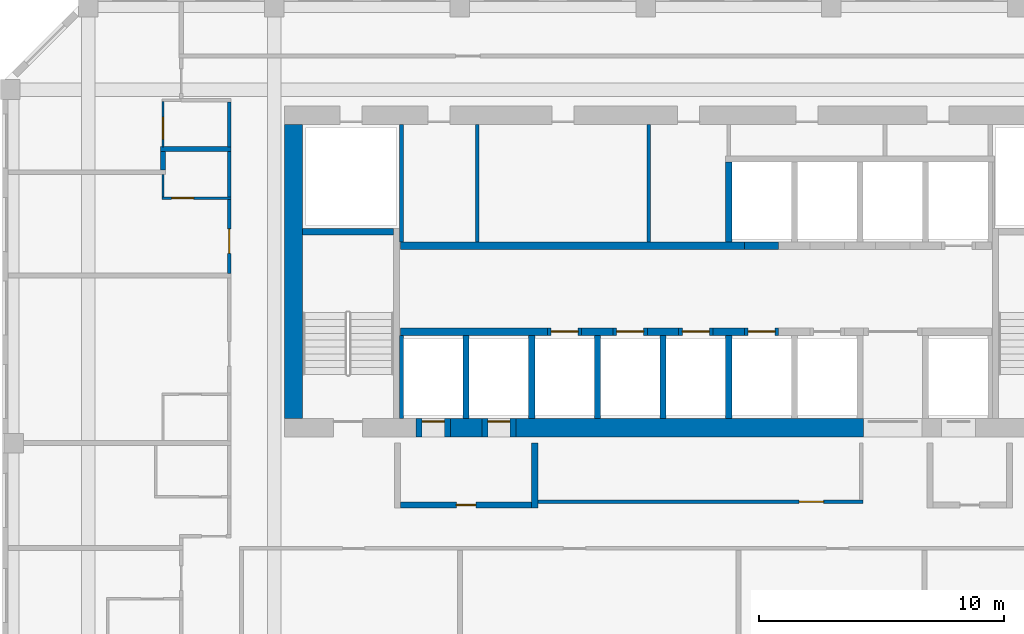
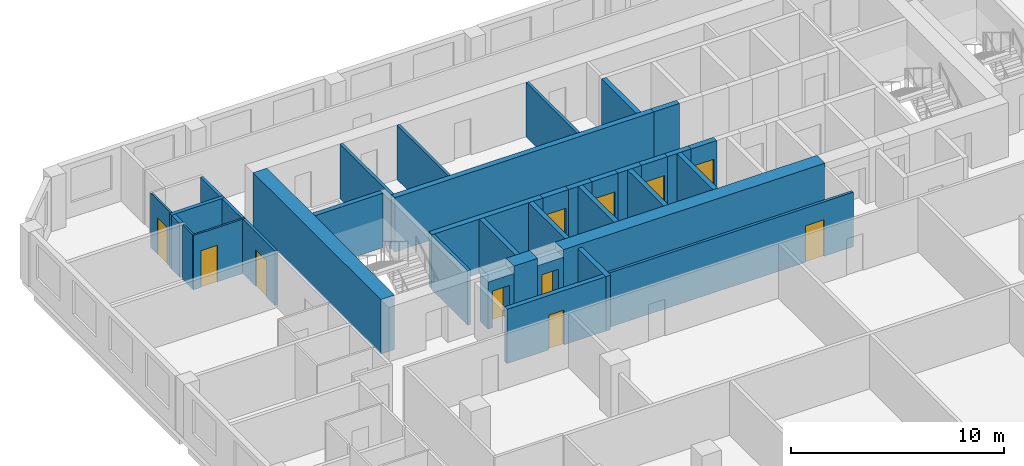
# One storey, part 7 of 21: 37 walls, 11 doors, 11 openings.
"""IFC4 building model written with IfcOpenShell, lengths in metres."""

from ifc_helpers import new_model, si_unit, direction, frame, frame_2d, origin, place, context, subcontext, project, spatial, rectangle, extrude, source, transform, mapped, material, layer, layer_set, type_object, element, fill, save


model = new_model("IFC4")

# Units and contexts
model_context = context("Model", 3, precision=1e-05, world=origin(), true_north=direction((0.0, 1.0)))
body_context = subcontext(model_context, "Body", "Model", "MODEL_VIEW")
ifc_project = project(units=[si_unit("LENGTHUNIT", "METRE"), si_unit("AREAUNIT", "SQUARE_METRE"), si_unit("VOLUMEUNIT", "CUBIC_METRE"), si_unit("PLANEANGLEUNIT", "RADIAN"), si_unit("MASSUNIT", "GRAM", prefix="KILO")], contexts=[model_context])

# Site, building, storey
site_placement = place(None, origin())
site = spatial("IfcSite", under=ifc_project, at=site_placement, CompositionType="ELEMENT")
building_placement = place(site_placement, origin())
building = spatial("IfcBuilding", under=site, at=building_placement, Name="Kilnfold Tower and Market Hall", CompositionType="ELEMENT")
storey_placement = place(building_placement, frame((0.0, 0.0, 185.5)))
storey = spatial("IfcBuildingStorey", under=building, at=storey_placement, Name="L44", CompositionType="ELEMENT", Elevation=185.5)

# Wall, opening, door
ifc_material_1 = material(Name="Gypsum board on steel studs", Category="steel")
ifc_layer_1 = layer(ifc_material_1, 0.14990234375)
ifc_layer_set_1 = layer_set([ifc_layer_1], Name="Gypsum board on steel studs")
wall_type_1 = type_object("IfcWallType", Name="WALL CORRIDOR 150", PredefinedType="PARTITIONING", material=ifc_layer_set_1)
wall_1_placement = place(storey_placement, frame((-18.0, 14.927001953125, 0.0), z_axis=(0.0, 0.0, 1.0), x_axis=(0.0, 1.0, 0.0)))
wall_1 = element("IfcWall", 1, at=wall_1_placement, inside=storey, type_object=wall_type_1, Name="Partition LY27.24", PredefinedType="PARTITIONING", context=body_context, shape_type="SweptSolid", body=[
    extrude(rectangle(XDim=3.032958984375, YDim=0.14990234375, at=frame_2d((1.5166015625, 0.0))), origin(), (0.0, 0.0, 1.0), 3.1201171875),
])
opening_1_placement = place(wall_1_placement, frame((0.81201171875, 0.0, 0.0)))
opening_1 = element("IfcOpeningElement", 2, at=opening_1_placement, cuts=wall_1, Name="Opening D1", PredefinedType="OPENING", context=body_context, shape_type="SweptSolid", body=[
    extrude(rectangle(XDim=1.0, YDim=2.10009765625, at=frame_2d((0.5, 1.050048828125))), frame((0.0, 0.0849609375, 0.0), z_axis=(0.0, -1.0, 0.0), x_axis=(1.0, 0.0, 0.0)), (0.0, 0.0, 1.0), 0.169921875),
])
ifc_material_2 = material(Name="Timber veneer door leaf in steel frame", Category="steel")
door_type_1 = type_object("IfcDoorType", Name="DOOR ENTRY 1000 X2100", OperationType="NOTDEFINED", PredefinedType="DOOR", material=ifc_material_2)
door_1_placement = place(opening_1_placement, origin())
door_1 = element("IfcDoor", 3, at=door_1_placement, inside=storey, type_object=door_type_1, Name="Door D1", OperationType="SINGLE_SWING_LEFT", OverallHeight=2.10009765625, OverallWidth=1.0, PredefinedType="DOOR", context=body_context, shape_type="SweptSolid", body=[
    extrude(rectangle(XDim=1.0, YDim=2.10009765625, at=frame_2d((0.5, 1.050048828125))), frame((0.0, 0.02490234375, 0.0), z_axis=(0.0, -1.0, 0.0), x_axis=(1.0, 0.0, 0.0)), (0.0, 0.0, 1.0), 0.050048828125),
])
fill(opening_1, door_1)

# Walls
wall_2_placement = place(storey_placement, frame((-18.0, 18.0400390625, 0.0), z_axis=(0.0, 0.0, 1.0), x_axis=(0.0, 1.0, 0.0)))
element("IfcWall", 4, at=wall_2_placement, inside=storey, type_object=wall_type_1, Name="Partition LY27.25", PredefinedType="PARTITIONING", context=body_context, shape_type="SweptSolid", body=[
    extrude(rectangle(XDim=1.869873046875, YDim=0.14990234375, at=frame_2d((0.93505859375, 0.0))), origin(), (0.0, 0.0, 1.0), 3.1201171875),
])
wall_3_placement = place(storey_placement, frame((-18.0, 20.090087890625, 0.0), z_axis=(0.0, 0.0, 1.0), x_axis=(0.0, 1.0, 0.0)))
element("IfcWall", 5, at=wall_3_placement, inside=storey, type_object=wall_type_1, Name="Partition LY27.27", PredefinedType="PARTITIONING", context=body_context, shape_type="SweptSolid", body=[
    extrude(rectangle(XDim=1.8349609375, YDim=0.14990234375, at=frame_2d((0.91748046875, 0.0))), origin(), (0.0, 0.0, 1.0), 3.1201171875),
])

# Wall, opening, door
wall_4_placement = place(storey_placement, frame((7.875, 5.60009765625, 0.0), z_axis=(0.0, 0.0, 1.0), x_axis=(-1.0, 0.0, 0.0)))
wall_4 = element("IfcWall", 6, at=wall_4_placement, inside=storey, type_object=wall_type_1, Name="Partition LY27.40", PredefinedType="PARTITIONING", context=body_context, shape_type="SweptSolid", body=[
    extrude(rectangle(XDim=13.27490234375, YDim=0.14990234375, at=frame_2d((6.637451171875, 0.0))), origin(), (0.0, 0.0, 1.0), 3.1201171875),
])
opening_2_placement = place(wall_4_placement, frame((1.60888671875, 0.0, 0.0)))
opening_2 = element("IfcOpeningElement", 7, at=opening_2_placement, cuts=wall_4, Name="Opening D1", PredefinedType="OPENING", context=body_context, shape_type="SweptSolid", body=[
    extrude(rectangle(XDim=1.0, YDim=2.10009765625, at=frame_2d((0.5, 1.050048828125))), frame((0.0, 0.0849609375, 0.0), z_axis=(0.0, -1.0, 0.0), x_axis=(1.0, 0.0, 0.0)), (0.0, 0.0, 1.0), 0.169921875),
])
door_2_placement = place(opening_2_placement, origin())
door_2 = element("IfcDoor", 8, at=door_2_placement, inside=storey, type_object=door_type_1, Name="Door D1", OperationType="SINGLE_SWING_LEFT", OverallHeight=2.10009765625, OverallWidth=1.0, PredefinedType="DOOR", context=body_context, shape_type="SweptSolid", body=[
    extrude(rectangle(XDim=1.0, YDim=2.10009765625, at=frame_2d((0.5, 1.050048828125))), frame((0.0, 0.02490234375, 0.0), z_axis=(0.0, -1.0, 0.0), x_axis=(1.0, 0.0, 0.0)), (0.0, 0.0, 1.0), 0.050048828125),
])
fill(opening_2, door_2)

ifc_material_3 = material(Name="Gypsum board on steel studs", Category="steel")
ifc_layer_2 = layer(ifc_material_3, 0.10009765625)
ifc_layer_set_2 = layer_set([ifc_layer_2], Name="Gypsum board on steel studs")
wall_type_2 = type_object("IfcWallType", Name="WALL PARTITION 100", PredefinedType="PARTITIONING", material=ifc_layer_set_2)
wall_5_placement = place(storey_placement, frame((-17.927001953125, 18.0, 0.0), z_axis=(0.0, 0.0, 1.0), x_axis=(-1.0, 0.0, 0.0)))
wall_5 = element("IfcWall", 9, at=wall_5_placement, inside=storey, type_object=wall_type_2, Name="Partition LY27.103", PredefinedType="PARTITIONING", context=body_context, shape_type="SweptSolid", body=[
    extrude(rectangle(XDim=2.824951171875, YDim=0.10009765625, at=frame_2d((1.41259765625, 0.0))), origin(), (0.0, 0.0, 1.0), 3.1201171875),
])
opening_3_placement = place(wall_5_placement, frame((1.52197265625, 0.0, 0.0)))
opening_3 = element("IfcOpeningElement", 10, at=opening_3_placement, cuts=wall_5, Name="Opening D3", PredefinedType="OPENING", context=body_context, shape_type="SweptSolid", body=[
    extrude(rectangle(XDim=0.89990234375, YDim=2.10009765625, at=frame_2d((0.449951171875, 1.050048828125))), frame((0.0, 0.06005859375, 0.0), z_axis=(0.0, -1.0, 0.0), x_axis=(1.0, 0.0, 0.0)), (0.0, 0.0, 1.0), 0.1201171875),
])
ifc_material_4 = material(Name="Timber veneer door leaf in steel frame", Category="steel")
door_type_2 = type_object("IfcDoorType", Name="DOOR WC 900 X2100", OperationType="NOTDEFINED", PredefinedType="DOOR", material=ifc_material_4)
door_3_placement = place(opening_3_placement, origin())
door_3 = element("IfcDoor", 11, at=door_3_placement, inside=storey, type_object=door_type_2, Name="Door D3", OperationType="SINGLE_SWING_RIGHT", OverallHeight=2.10009765625, OverallWidth=0.89990234375, PredefinedType="DOOR", context=body_context, shape_type="SweptSolid", body=[
    extrude(rectangle(XDim=0.89990234375, YDim=2.10009765625, at=frame_2d((0.449951171875, 1.050048828125))), frame((0.0, 0.02490234375, 0.0), z_axis=(0.0, -1.0, 0.0), x_axis=(1.0, 0.0, 0.0)), (0.0, 0.0, 1.0), 0.050048828125),
])
fill(opening_3, door_3)

# Wall
wall_6_placement = place(storey_placement, frame((-20.701904296875, 18.050048828125, 0.0), z_axis=(0.0, 0.0, 1.0), x_axis=(0.0, 1.0, 0.0)))
element("IfcWall", 12, at=wall_6_placement, inside=storey, type_object=wall_type_2, Name="Partition LY27.104", PredefinedType="PARTITIONING", context=body_context, shape_type="SweptSolid", body=[
    extrude(rectangle(XDim=0.90283203125, YDim=0.10009765625, at=frame_2d((0.451416015625, 0.0))), origin(), (0.0, 0.0, 1.0), 3.1201171875),
])

# Wall, opening, door
wall_7_placement = place(storey_placement, frame((-20.701904296875, 20.090087890625, 0.0), z_axis=(0.0, 0.0, 1.0), x_axis=(0.0, 1.0, 0.0)))
wall_7 = element("IfcWall", 13, at=wall_7_placement, inside=storey, type_object=wall_type_2, Name="Partition LY27.109", PredefinedType="PARTITIONING", context=body_context, shape_type="SweptSolid", body=[
    extrude(rectangle(XDim=1.85986328125, YDim=0.10009765625, at=frame_2d((0.929931640625, 0.0))), origin(), (0.0, 0.0, 1.0), 3.1201171875),
])
opening_4_placement = place(wall_7_placement, frame((0.31201171875, 0.0, 0.0)))
opening_4 = element("IfcOpeningElement", 14, at=opening_4_placement, cuts=wall_7, Name="Opening D3", PredefinedType="OPENING", context=body_context, shape_type="SweptSolid", body=[
    extrude(rectangle(XDim=0.89990234375, YDim=2.10009765625, at=frame_2d((0.449951171875, 1.050048828125))), frame((0.0, 0.06005859375, 0.0), z_axis=(0.0, -1.0, 0.0), x_axis=(1.0, 0.0, 0.0)), (0.0, 0.0, 1.0), 0.1201171875),
])
door_4_placement = place(opening_4_placement, origin())
door_4 = element("IfcDoor", 15, at=door_4_placement, inside=storey, type_object=door_type_2, Name="Door D3", OperationType="SINGLE_SWING_RIGHT", OverallHeight=2.10009765625, OverallWidth=0.89990234375, PredefinedType="DOOR", context=body_context, shape_type="SweptSolid", body=[
    extrude(rectangle(XDim=0.89990234375, YDim=2.10009765625, at=frame_2d((0.449951171875, 1.050048828125))), frame((0.0, 0.02490234375, 0.0), z_axis=(0.0, -1.0, 0.0), x_axis=(1.0, 0.0, 0.0)), (0.0, 0.0, 1.0), 0.050048828125),
])
fill(opening_4, door_4)

# Walls
ifc_material_5 = material(Name="Gypsum board on steel studs", Category="steel")
ifc_layer_3 = layer(ifc_material_5, 0.199951171875)
ifc_layer_set_3 = layer_set([ifc_layer_3], Name="Gypsum board on steel studs")
wall_type_3 = type_object("IfcWallType", Name="WALL PARTY 200", PredefinedType="PARTITIONING", material=ifc_layer_set_3)
wall_8_placement = place(storey_placement, frame((-20.701904296875, 19.89990234375, 0.0), z_axis=(0.0, 0.0, 1.0), x_axis=(0.0, -1.0, 0.0)))
element("IfcWall", 16, at=wall_8_placement, inside=storey, type_object=wall_type_3, Name="Partition LY27.106", PredefinedType="PARTITIONING", context=body_context, shape_type="SweptSolid", body=[
    extrude(rectangle(XDim=0.7568359375, YDim=0.199951171875, at=frame_2d((0.37841796875, 0.0))), origin(), (0.0, 0.0, 1.0), 3.1201171875),
])
wall_9_placement = place(storey_placement, frame((-17.927001953125, 20.0, 0.0), z_axis=(0.0, 0.0, 1.0), x_axis=(-1.0, 0.0, 0.0)))
element("IfcWall", 17, at=wall_9_placement, inside=storey, type_object=wall_type_3, Name="Partition LY27.107", PredefinedType="PARTITIONING", context=body_context, shape_type="SweptSolid", body=[
    extrude(rectangle(XDim=2.875, YDim=0.199951171875, at=frame_2d((1.4375, 0.0))), origin(), (0.0, 0.0, 1.0), 3.1201171875),
])
ifc_material_6 = material(Name="Concrete C60", Category="concrete")
ifc_layer_4 = layer(ifc_material_6, 0.25)
ifc_layer_set_4 = layer_set([ifc_layer_4], Name="Concrete C60")
wall_type_4 = type_object("IfcWallType", Name="CORE WALL 250 C60", PredefinedType="SHEAR", material=ifc_layer_set_4)
shared_shape_1 = source(origin(), body_context, "Body", "SweptSolid", [
    extrude(rectangle(XDim=3.699951171875, YDim=0.25, at=frame_2d((1.85009765625, 0.0))), origin(), (0.0, 0.0, 1.0), 3.1201171875),
])
wall_10_placement = place(storey_placement, frame((-15.0, 16.625, 0.0), z_axis=(0.0, 0.0, 1.0), x_axis=(1.0, 0.0, 0.0)))
element("IfcWall", 18, at=wall_10_placement, inside=storey, type_object=wall_type_4, Name="Stair enclosure ST1", PredefinedType="SHEAR", context=body_context, shape_type="MappedRepresentation", body=[
    mapped(shared_shape_1, transform((0.0, 0.0, 0.0))),
])
ifc_material_7 = material(Name="Concrete C60", Category="concrete")
ifc_layer_5 = layer(ifc_material_7, 0.300048828125)
ifc_layer_set_5 = layer_set([ifc_layer_5], Name="Concrete C60")
wall_type_5 = type_object("IfcWallType", Name="CORE WALL 300 C60", PredefinedType="SHEAR", material=ifc_layer_set_5)
shared_shape_2 = source(origin(), body_context, "Body", "SweptSolid", [
    extrude(rectangle(XDim=6.0, YDim=0.300048828125, at=frame_2d((3.0, 0.0))), origin(), (0.0, 0.0, 1.0), 3.1201171875),
])
wall_11_placement = place(storey_placement, frame((-11.010009765625, 12.550048828125, 0.0), z_axis=(0.0, 0.0, 1.0), x_axis=(1.0, 0.0, 0.0)))
element("IfcWall", 19, at=wall_11_placement, inside=storey, type_object=wall_type_5, Name="Core spine wall", PredefinedType="SHEAR", context=body_context, shape_type="MappedRepresentation", body=[
    mapped(shared_shape_2, transform((0.0, 0.0, 0.0))),
])
shared_shape_3 = source(origin(), body_context, "Body", "SweptSolid", [
    extrude(rectangle(XDim=1.280029296875, YDim=0.300048828125, at=frame_2d((0.64013671875, 0.0))), origin(), (0.0, 0.0, 1.0), 3.1201171875),
])
for number, where, z_axis, x_axis, name in (
    (20, (-3.610107421875, 12.550048828125, 0.0), (0.0, 0.0, 1.0), (1.0, 0.0, 0.0), "Core spine wall"),
    (21, (-0.929931640625, 12.550048828125, 0.0), (0.0, 0.0, 1.0), (1.0, 0.0, 0.0), "Core spine wall"),
    (22, (1.75, 12.550048828125, 0.0), (0.0, 0.0, 1.0), (1.0, 0.0, 0.0), "Core spine wall"),
):
    element("IfcWall", number, at=place(storey_placement, frame(where, z_axis=z_axis, x_axis=x_axis)), inside=storey, type_object=wall_type_5, Name=name, PredefinedType="SHEAR", context=body_context, shape_type="MappedRepresentation", body=[
        mapped(shared_shape_3, transform((0.0, 0.0, 0.0))),
    ])
shared_shape_4 = source(origin(), body_context, "Body", "SweptSolid", [
    extrude(rectangle(XDim=14.0400390625, YDim=0.300048828125, at=frame_2d((7.02001953125, 0.0))), origin(), (0.0, 0.0, 1.0), 3.1201171875),
])
wall_12_placement = place(storey_placement, frame((-11.010009765625, 16.050048828125, 0.0), z_axis=(0.0, 0.0, 1.0), x_axis=(1.0, 0.0, 0.0)))
element("IfcWall", 23, at=wall_12_placement, inside=storey, type_object=wall_type_5, Name="Core spine wall", PredefinedType="SHEAR", context=body_context, shape_type="MappedRepresentation", body=[
    mapped(shared_shape_4, transform((0.0, 0.0, 0.0))),
])
ifc_material_8 = material(Name="Concrete C60", Category="concrete")
ifc_layer_6 = layer(ifc_material_8, 0.75)
ifc_layer_set_6 = layer_set([ifc_layer_6], Name="Concrete C60")
wall_type_6 = type_object("IfcWallType", Name="CORE WALL 750 C60", PredefinedType="SHEAR", material=ifc_layer_set_6)
shared_shape_5 = source(origin(), body_context, "Body", "SweptSolid", [
    extrude(rectangle(XDim=1.280029296875, YDim=0.75, at=frame_2d((0.64013671875, 0.0))), origin(), (0.0, 0.0, 1.0), 3.1201171875),
])
wall_13_placement = place(storey_placement, frame((-8.969970703125, 8.625, 0.0), z_axis=(0.0, 0.0, 1.0), x_axis=(1.0, 0.0, 0.0)))
element("IfcWall", 24, at=wall_13_placement, inside=storey, type_object=wall_type_6, Name="Core outer wall south", PredefinedType="SHEAR", context=body_context, shape_type="MappedRepresentation", body=[
    mapped(shared_shape_5, transform((0.0, 0.0, 0.0))),
])
shared_shape_6 = source(origin(), body_context, "Body", "SweptSolid", [
    extrude(rectangle(XDim=14.179931640625, YDim=0.75, at=frame_2d((7.08984375, 0.0))), origin(), (0.0, 0.0, 1.0), 3.1201171875),
])
wall_14_placement = place(storey_placement, frame((-6.2900390625, 8.625, 0.0), z_axis=(0.0, 0.0, 1.0), x_axis=(1.0, 0.0, 0.0)))
element("IfcWall", 25, at=wall_14_placement, inside=storey, type_object=wall_type_6, Name="Core outer wall south", PredefinedType="SHEAR", context=body_context, shape_type="MappedRepresentation", body=[
    mapped(shared_shape_6, transform((0.0, 0.0, 0.0))),
])
shared_shape_7 = source(origin(), body_context, "Body", "SweptSolid", [
    extrude(rectangle(XDim=12.0, YDim=0.75, at=frame_2d((6.0, 0.0))), origin(), (0.0, 0.0, 1.0), 3.1201171875),
])
wall_15_placement = place(storey_placement, frame((-15.375, 9.0, 0.0), z_axis=(0.0, 0.0, 1.0), x_axis=(0.0, 1.0, 0.0)))
element("IfcWall", 26, at=wall_15_placement, inside=storey, type_object=wall_type_6, Name="Core outer wall west", PredefinedType="SHEAR", context=body_context, shape_type="MappedRepresentation", body=[
    mapped(shared_shape_7, transform((0.0, 0.0, 0.0))),
])

# Wall, opening, door
ifc_material_9 = material(Name="Gypsum shaft wall system")
ifc_layer_7 = layer(ifc_material_9, 0.300048828125)
ifc_layer_set_7 = layer_set([ifc_layer_7], Name="Gypsum shaft wall system")
wall_type_7 = type_object("IfcWallType", Name="SHAFT WALL 300", PredefinedType="PARTITIONING", material=ifc_layer_set_7)
shared_shape_8 = source(origin(), body_context, "Body", "SweptSolid", [
    extrude(rectangle(XDim=1.39990234375, YDim=0.300048828125, at=frame_2d((0.699951171875, 0.0))), origin(), (0.0, 0.0, 1.0), 3.1201171875),
])
wall_16_placement = place(storey_placement, frame((-5.010009765625, 12.550048828125, 0.0), z_axis=(0.0, 0.0, 1.0), x_axis=(1.0, 0.0, 0.0)))
wall_16 = element("IfcWall", 27, at=wall_16_placement, inside=storey, type_object=wall_type_7, Name="Lift shaft front wall", PredefinedType="PARTITIONING", context=body_context, shape_type="MappedRepresentation", body=[
    mapped(shared_shape_8, transform((0.0, 0.0, 0.0))),
])
opening_5_placement = place(wall_16_placement, frame((0.14990234375, 0.0, 0.0)))
opening_5 = element("IfcOpeningElement", 28, at=opening_5_placement, cuts=wall_16, Name="Opening LD2", PredefinedType="OPENING", context=body_context, shape_type="SweptSolid", body=[
    extrude(rectangle(XDim=1.10009765625, YDim=2.10009765625, at=frame_2d((0.550048828125, 1.050048828125))), frame((0.0, 0.16015625, 0.0), z_axis=(0.0, -1.0, 0.0), x_axis=(1.0, 0.0, 0.0)), (0.0, 0.0, 1.0), 0.320068359375),
])
ifc_material_10 = material(Name="Steel door set with fire-resisting leaf", Category="steel")
door_type_3 = type_object("IfcDoorType", Name="LANDING DOOR 1100X2100", OperationType="NOTDEFINED", PredefinedType="DOOR", material=ifc_material_10)
door_5_placement = place(opening_5_placement, origin())
door_5 = element("IfcDoor", 29, at=door_5_placement, inside=storey, type_object=door_type_3, Name="Landing door MR1", OperationType="DOUBLE_DOOR_SLIDING", OverallHeight=2.10009765625, OverallWidth=1.10009765625, PredefinedType="DOOR", context=body_context, shape_type="SweptSolid", body=[
    extrude(rectangle(XDim=1.10009765625, YDim=2.10009765625, at=frame_2d((0.550048828125, 1.050048828125))), frame((0.0, 0.02490234375, 0.0), z_axis=(0.0, -1.0, 0.0), x_axis=(1.0, 0.0, 0.0)), (0.0, 0.0, 1.0), 0.050048828125),
])
fill(opening_5, door_5)

wall_17_placement = place(storey_placement, frame((0.35009765625, 12.550048828125, 0.0), z_axis=(0.0, 0.0, 1.0), x_axis=(1.0, 0.0, 0.0)))
wall_17 = element("IfcWall", 30, at=wall_17_placement, inside=storey, type_object=wall_type_7, Name="Lift shaft front wall", PredefinedType="PARTITIONING", context=body_context, shape_type="MappedRepresentation", body=[
    mapped(shared_shape_8, transform((0.0, 0.0, 0.0))),
])
opening_6_placement = place(wall_17_placement, frame((0.14990234375, 0.0, 0.0)))
opening_6 = element("IfcOpeningElement", 31, at=opening_6_placement, cuts=wall_17, Name="Opening LD2", PredefinedType="OPENING", context=body_context, shape_type="SweptSolid", body=[
    extrude(rectangle(XDim=1.10009765625, YDim=2.10009765625, at=frame_2d((0.550048828125, 1.050048828125))), frame((0.0, 0.16015625, 0.0), z_axis=(0.0, -1.0, 0.0), x_axis=(1.0, 0.0, 0.0)), (0.0, 0.0, 1.0), 0.320068359375),
])
door_6_placement = place(opening_6_placement, origin())
door_6 = element("IfcDoor", 32, at=door_6_placement, inside=storey, type_object=door_type_3, Name="Landing door MR3", OperationType="DOUBLE_DOOR_SLIDING", OverallHeight=2.10009765625, OverallWidth=1.10009765625, PredefinedType="DOOR", context=body_context, shape_type="SweptSolid", body=[
    extrude(rectangle(XDim=1.10009765625, YDim=2.10009765625, at=frame_2d((0.550048828125, 1.050048828125))), frame((0.0, 0.02490234375, 0.0), z_axis=(0.0, -1.0, 0.0), x_axis=(1.0, 0.0, 0.0)), (0.0, 0.0, 1.0), 0.050048828125),
])
fill(opening_6, door_6)

wall_18_placement = place(storey_placement, frame((3.030029296875, 12.550048828125, 0.0), z_axis=(0.0, 0.0, 1.0), x_axis=(1.0, 0.0, 0.0)))
wall_18 = element("IfcWall", 33, at=wall_18_placement, inside=storey, type_object=wall_type_7, Name="Lift shaft front wall", PredefinedType="PARTITIONING", context=body_context, shape_type="MappedRepresentation", body=[
    mapped(shared_shape_8, transform((0.0, 0.0, 0.0))),
])
opening_7_placement = place(wall_18_placement, frame((0.14990234375, 0.0, 0.0)))
opening_7 = element("IfcOpeningElement", 34, at=opening_7_placement, cuts=wall_18, Name="Opening LD2", PredefinedType="OPENING", context=body_context, shape_type="SweptSolid", body=[
    extrude(rectangle(XDim=1.10009765625, YDim=2.10009765625, at=frame_2d((0.550048828125, 1.050048828125))), frame((0.0, 0.16015625, 0.0), z_axis=(0.0, -1.0, 0.0), x_axis=(1.0, 0.0, 0.0)), (0.0, 0.0, 1.0), 0.320068359375),
])
door_7_placement = place(opening_7_placement, origin())
door_7 = element("IfcDoor", 35, at=door_7_placement, inside=storey, type_object=door_type_3, Name="Landing door MR4", OperationType="DOUBLE_DOOR_SLIDING", OverallHeight=2.10009765625, OverallWidth=1.10009765625, PredefinedType="DOOR", context=body_context, shape_type="SweptSolid", body=[
    extrude(rectangle(XDim=1.10009765625, YDim=2.10009765625, at=frame_2d((0.550048828125, 1.050048828125))), frame((0.0, 0.02490234375, 0.0), z_axis=(0.0, -1.0, 0.0), x_axis=(1.0, 0.0, 0.0)), (0.0, 0.0, 1.0), 0.050048828125),
])
fill(opening_7, door_7)

# Wall
wall_19_placement = place(storey_placement, frame((3.030029296875, 16.050048828125, 0.0), z_axis=(0.0, 0.0, 1.0), x_axis=(1.0, 0.0, 0.0)))
element("IfcWall", 36, at=wall_19_placement, inside=storey, type_object=wall_type_7, Name="Lift shaft front wall", PredefinedType="PARTITIONING", context=body_context, shape_type="MappedRepresentation", body=[
    mapped(shared_shape_8, transform((0.0, 0.0, 0.0))),
])

# Wall, opening, door
shared_shape_9 = source(origin(), body_context, "Body", "SweptSolid", [
    extrude(rectangle(XDim=1.400146484375, YDim=0.300048828125, at=frame_2d((0.7001953125, 0.0))), origin(), (0.0, 0.0, 1.0), 3.1201171875),
])
wall_20_placement = place(storey_placement, frame((-2.330078125, 12.550048828125, 0.0), z_axis=(0.0, 0.0, 1.0), x_axis=(1.0, 0.0, 0.0)))
wall_20 = element("IfcWall", 37, at=wall_20_placement, inside=storey, type_object=wall_type_7, Name="Lift shaft front wall", PredefinedType="PARTITIONING", context=body_context, shape_type="MappedRepresentation", body=[
    mapped(shared_shape_9, transform((0.0, 0.0, 0.0))),
])
opening_8_placement = place(wall_20_placement, frame((0.14990234375, 0.0, 0.0)))
opening_8 = element("IfcOpeningElement", 38, at=opening_8_placement, cuts=wall_20, Name="Opening LD2", PredefinedType="OPENING", context=body_context, shape_type="SweptSolid", body=[
    extrude(rectangle(XDim=1.10009765625, YDim=2.10009765625, at=frame_2d((0.550048828125, 1.050048828125))), frame((0.0, 0.16015625, 0.0), z_axis=(0.0, -1.0, 0.0), x_axis=(1.0, 0.0, 0.0)), (0.0, 0.0, 1.0), 0.320068359375),
])
door_8_placement = place(opening_8_placement, origin())
door_8 = element("IfcDoor", 39, at=door_8_placement, inside=storey, type_object=door_type_3, Name="Landing door MR2", OperationType="DOUBLE_DOOR_SLIDING", OverallHeight=2.10009765625, OverallWidth=1.10009765625, PredefinedType="DOOR", context=body_context, shape_type="SweptSolid", body=[
    extrude(rectangle(XDim=1.10009765625, YDim=2.10009765625, at=frame_2d((0.550048828125, 1.050048828125))), frame((0.0, 0.02490234375, 0.0), z_axis=(0.0, -1.0, 0.0), x_axis=(1.0, 0.0, 0.0)), (0.0, 0.0, 1.0), 0.050048828125),
])
fill(opening_8, door_8)

# Wall
ifc_material_11 = material(Name="Gypsum shaft wall system")
ifc_layer_8 = layer(ifc_material_11, 0.25)
ifc_layer_set_8 = layer_set([ifc_layer_8], Name="Gypsum shaft wall system")
wall_type_8 = type_object("IfcWallType", Name="LOBBY WALL 250", PredefinedType="PARTITIONING", material=ifc_layer_set_8)
shared_shape_10 = source(origin(), body_context, "Body", "SweptSolid", [
    extrude(rectangle(XDim=2.64990234375, YDim=0.25, at=frame_2d((1.324951171875, 0.0))), origin(), (0.0, 0.0, 1.0), 3.1201171875),
])
wall_21_placement = place(storey_placement, frame((-5.52490234375, 5.35009765625, 0.0), z_axis=(0.0, 0.0, 1.0), x_axis=(0.0, 1.0, 0.0)))
element("IfcWall", 40, at=wall_21_placement, inside=storey, type_object=wall_type_8, Name="Firefighting lobby wall", PredefinedType="PARTITIONING", context=body_context, shape_type="MappedRepresentation", body=[
    mapped(shared_shape_10, transform((0.0, 0.0, 0.0))),
])

# Wall, opening, door
shared_shape_11 = source(origin(), body_context, "Body", "SweptSolid", [
    extrude(rectangle(XDim=5.360107421875, YDim=0.25, at=frame_2d((2.68017578125, 0.0))), origin(), (0.0, 0.0, 1.0), 3.1201171875),
])
wall_22_placement = place(storey_placement, frame((-11.010009765625, 5.47509765625, 0.0), z_axis=(0.0, 0.0, 1.0), x_axis=(1.0, 0.0, 0.0)))
wall_22 = element("IfcWall", 41, at=wall_22_placement, inside=storey, type_object=wall_type_8, Name="Firefighting lobby wall", PredefinedType="PARTITIONING", context=body_context, shape_type="MappedRepresentation", body=[
    mapped(shared_shape_11, transform((0.0, 0.0, 0.0))),
])
opening_9_placement = place(wall_22_placement, frame((2.280029296875, 0.0, 0.0)))
opening_9 = element("IfcOpeningElement", 42, at=opening_9_placement, cuts=wall_22, Name="Opening VD1", PredefinedType="OPENING", context=body_context, shape_type="SweptSolid", body=[
    extrude(rectangle(XDim=0.800048828125, YDim=2.0, at=frame_2d((0.39990234375, 1.0))), frame((0.0, 0.135009765625, 0.0), z_axis=(0.0, -1.0, 0.0), x_axis=(1.0, 0.0, 0.0)), (0.0, 0.0, 1.0), 0.27001953125),
])
ifc_material_12 = material(Name="Steel door set with fire-resisting leaf", Category="steel")
door_type_4 = type_object("IfcDoorType", Name="FIREFIGHTING LOBBY DOOR 800X2000", OperationType="NOTDEFINED", PredefinedType="DOOR", material=ifc_material_12)
door_9_placement = place(opening_9_placement, origin())
door_9 = element("IfcDoor", 43, at=door_9_placement, inside=storey, type_object=door_type_4, Name="Firefighting lobby door", OperationType="SINGLE_SWING_LEFT", OverallHeight=2.0, OverallWidth=0.800048828125, PredefinedType="DOOR", context=body_context, shape_type="SweptSolid", body=[
    extrude(rectangle(XDim=0.800048828125, YDim=2.0, at=frame_2d((0.39990234375, 1.0))), frame((0.0, 0.02490234375, 0.0), z_axis=(0.0, -1.0, 0.0), x_axis=(1.0, 0.0, 0.0)), (0.0, 0.0, 1.0), 0.050048828125),
])
fill(opening_9, door_9)

# Walls
ifc_material_13 = material(Name="Gypsum shaft wall system")
ifc_layer_9 = layer(ifc_material_13, 0.1650390625)
ifc_layer_set_9 = layer_set([ifc_layer_9], Name="Gypsum shaft wall system")
wall_type_9 = type_object("IfcWallType", Name="SHAFT WALL 165", PredefinedType="PARTITIONING", material=ifc_layer_set_9)
shared_shape_12 = source(origin(), body_context, "Body", "SweptSolid", [
    extrude(rectangle(XDim=4.800048828125, YDim=0.1650390625, at=frame_2d((2.39990234375, 0.0))), origin(), (0.0, 0.0, 1.0), 3.1201171875),
])
wall_23_placement = place(storey_placement, frame((-10.967529296875, 16.199951171875, 0.0), z_axis=(0.0, 0.0, 1.0), x_axis=(0.0, 1.0, 0.0)))
element("IfcWall", 44, at=wall_23_placement, inside=storey, type_object=wall_type_9, Name="Lift shaft wall", PredefinedType="PARTITIONING", context=body_context, shape_type="MappedRepresentation", body=[
    mapped(shared_shape_12, transform((0.0, 0.0, 0.0))),
])
ifc_material_14 = material(Name="Gypsum shaft wall system")
ifc_layer_10 = layer(ifc_material_14, 0.25)
ifc_layer_set_10 = layer_set([ifc_layer_10], Name="Gypsum shaft wall system")
wall_type_10 = type_object("IfcWallType", Name="SHAFT WALL 250", PredefinedType="PARTITIONING", material=ifc_layer_set_10)
shared_shape_13 = source(origin(), body_context, "Body", "SweptSolid", [
    extrude(rectangle(XDim=3.275146484375, YDim=0.25, at=frame_2d((1.6376953125, 0.0))), origin(), (0.0, 0.0, 1.0), 3.1201171875),
])
wall_24_placement = place(storey_placement, frame((2.389892578125, 16.199951171875, 0.0), z_axis=(0.0, 0.0, 1.0), x_axis=(0.0, 1.0, 0.0)))
element("IfcWall", 45, at=wall_24_placement, inside=storey, type_object=wall_type_10, Name="Lift shaft wall", PredefinedType="PARTITIONING", context=body_context, shape_type="MappedRepresentation", body=[
    mapped(shared_shape_13, transform((0.0, 0.0, 0.0))),
])
shared_shape_14 = source(origin(), body_context, "Body", "SweptSolid", [
    extrude(rectangle(XDim=3.39990234375, YDim=0.25, at=frame_2d((1.699951171875, 0.0))), origin(), (0.0, 0.0, 1.0), 3.1201171875),
])
for number, where, z_axis, x_axis, name in (
    (46, (2.389892578125, 9.0, 0.0), (0.0, 0.0, 1.0), (0.0, 1.0, 0.0), "Lift shaft wall"),
    (47, (-0.2900390625, 9.0, 0.0), (0.0, 0.0, 1.0), (0.0, 1.0, 0.0), "Lift shaft wall"),
    (48, (-2.969970703125, 9.0, 0.0), (0.0, 0.0, 1.0), (0.0, 1.0, 0.0), "Lift shaft wall"),
    (49, (-5.64990234375, 9.0, 0.0), (0.0, 0.0, 1.0), (0.0, 1.0, 0.0), "Lift shaft wall"),
    (50, (-8.330078125, 9.0, 0.0), (0.0, 0.0, 1.0), (0.0, 1.0, 0.0), "Lift shaft wall"),
):
    element("IfcWall", number, at=place(storey_placement, frame(where, z_axis=z_axis, x_axis=x_axis)), inside=storey, type_object=wall_type_10, Name=name, PredefinedType="PARTITIONING", context=body_context, shape_type="MappedRepresentation", body=[
        mapped(shared_shape_14, transform((0.0, 0.0, 0.0))),
    ])
shared_shape_15 = source(origin(), body_context, "Body", "SweptSolid", [
    extrude(rectangle(XDim=3.39990234375, YDim=0.1650390625, at=frame_2d((1.699951171875, 0.0))), origin(), (0.0, 0.0, 1.0), 3.1201171875),
])
wall_25_placement = place(storey_placement, frame((-10.967529296875, 9.0, 0.0), z_axis=(0.0, 0.0, 1.0), x_axis=(0.0, 1.0, 0.0)))
element("IfcWall", 51, at=wall_25_placement, inside=storey, type_object=wall_type_9, Name="Lift shaft wall", PredefinedType="PARTITIONING", context=body_context, shape_type="MappedRepresentation", body=[
    mapped(shared_shape_15, transform((0.0, 0.0, 0.0))),
])
ifc_material_15 = material(Name="Gypsum shaft wall system")
ifc_layer_11 = layer(ifc_material_15, 0.14990234375)
ifc_layer_set_11 = layer_set([ifc_layer_11], Name="Gypsum shaft wall system")
wall_type_11 = type_object("IfcWallType", Name="ROOM WALL 150", PredefinedType="PARTITIONING", material=ifc_layer_set_11)
shared_shape_16 = source(origin(), body_context, "Body", "SweptSolid", [
    extrude(rectangle(XDim=4.800048828125, YDim=0.14990234375, at=frame_2d((2.39990234375, 0.0))), origin(), (0.0, 0.0, 1.0), 3.1201171875),
])
for number, where, z_axis, x_axis, name in (
    (52, (-7.87451171875, 16.199951171875, 0.0), (0.0, 0.0, 1.0), (0.0, 1.0, 0.0), "Core room wall"),
    (53, (-0.879638671875, 16.199951171875, 0.0), (0.0, 0.0, 1.0), (0.0, 1.0, 0.0), "Core room wall"),
):
    element("IfcWall", number, at=place(storey_placement, frame(where, z_axis=z_axis, x_axis=x_axis)), inside=storey, type_object=wall_type_11, Name=name, PredefinedType="PARTITIONING", context=body_context, shape_type="MappedRepresentation", body=[
        mapped(shared_shape_16, transform((0.0, 0.0, 0.0))),
    ])

# Wall, opening, door
ifc_material_16 = material(Name="Gypsum shaft wall system")
ifc_layer_12 = layer(ifc_material_16, 0.75)
ifc_layer_set_12 = layer_set([ifc_layer_12], Name="Gypsum shaft wall system")
wall_type_12 = type_object("IfcWallType", Name="LOBBY WALL 750", PredefinedType="PARTITIONING", material=ifc_layer_set_12)
shared_shape_17 = source(origin(), body_context, "Body", "SweptSolid", [
    extrude(rectangle(XDim=1.400146484375, YDim=0.75, at=frame_2d((0.7001953125, 0.0))), origin(), (0.0, 0.0, 1.0), 2.699951171875),
])
wall_26_placement = place(storey_placement, frame((-10.3701171875, 8.625, 0.0), z_axis=(0.0, 0.0, 1.0), x_axis=(1.0, 0.0, 0.0)))
wall_26 = element("IfcWall", 54, at=wall_26_placement, inside=storey, type_object=wall_type_12, Name="Core wall infill", PredefinedType="PARTITIONING", context=body_context, shape_type="MappedRepresentation", body=[
    mapped(shared_shape_17, transform((0.0, 0.0, 0.0))),
])
opening_10_placement = place(wall_26_placement, frame((0.25, 0.0, 0.0)))
opening_10 = element("IfcOpeningElement", 55, at=opening_10_placement, cuts=wall_26, Name="Opening LD1", PredefinedType="OPENING", context=body_context, shape_type="SweptSolid", body=[
    extrude(rectangle(XDim=0.89990234375, YDim=2.10009765625, at=frame_2d((0.449951171875, 1.050048828125))), frame((0.0, 0.385009765625, 0.0), z_axis=(0.0, -1.0, 0.0), x_axis=(1.0, 0.0, 0.0)), (0.0, 0.0, 1.0), 0.77001953125),
])
ifc_material_17 = material(Name="Steel door set with fire-resisting leaf", Category="steel")
door_type_5 = type_object("IfcDoorType", Name="FIREFIGHTING LANDING DOOR 900X2100", OperationType="NOTDEFINED", PredefinedType="DOOR", material=ifc_material_17)
door_10_placement = place(opening_10_placement, origin())
door_10 = element("IfcDoor", 56, at=door_10_placement, inside=storey, type_object=door_type_5, Name="Landing door FF1", OperationType="SLIDING_TO_LEFT", OverallHeight=2.10009765625, OverallWidth=0.89990234375, PredefinedType="DOOR", context=body_context, shape_type="SweptSolid", body=[
    extrude(rectangle(XDim=0.89990234375, YDim=2.10009765625, at=frame_2d((0.449951171875, 1.050048828125))), frame((0.0, 0.27978515625, 0.0), z_axis=(0.0, -1.0, 0.0), x_axis=(1.0, 0.0, 0.0)), (0.0, 0.0, 1.0), 0.050048828125),
])
fill(opening_10, door_10)

shared_shape_18 = source(origin(), body_context, "Body", "SweptSolid", [
    extrude(rectangle(XDim=1.39990234375, YDim=0.75, at=frame_2d((0.699951171875, 0.0))), origin(), (0.0, 0.0, 1.0), 2.699951171875),
])
wall_27_placement = place(storey_placement, frame((-7.68994140625, 8.625, 0.0), z_axis=(0.0, 0.0, 1.0), x_axis=(1.0, 0.0, 0.0)))
wall_27 = element("IfcWall", 57, at=wall_27_placement, inside=storey, type_object=wall_type_12, Name="Core wall infill", PredefinedType="PARTITIONING", context=body_context, shape_type="MappedRepresentation", body=[
    mapped(shared_shape_18, transform((0.0, 0.0, 0.0))),
])
opening_11_placement = place(wall_27_placement, frame((0.25, 0.0, 0.0)))
opening_11 = element("IfcOpeningElement", 58, at=opening_11_placement, cuts=wall_27, Name="Opening LD1", PredefinedType="OPENING", context=body_context, shape_type="SweptSolid", body=[
    extrude(rectangle(XDim=0.89990234375, YDim=2.10009765625, at=frame_2d((0.449951171875, 1.050048828125))), frame((0.0, 0.385009765625, 0.0), z_axis=(0.0, -1.0, 0.0), x_axis=(1.0, 0.0, 0.0)), (0.0, 0.0, 1.0), 0.77001953125),
])
door_11_placement = place(opening_11_placement, origin())
door_11 = element("IfcDoor", 59, at=door_11_placement, inside=storey, type_object=door_type_5, Name="Landing door FF2", OperationType="SLIDING_TO_RIGHT", OverallHeight=2.10009765625, OverallWidth=0.89990234375, PredefinedType="DOOR", context=body_context, shape_type="SweptSolid", body=[
    extrude(rectangle(XDim=0.89990234375, YDim=2.10009765625, at=frame_2d((0.449951171875, 1.050048828125))), frame((0.0, 0.27978515625, 0.0), z_axis=(0.0, -1.0, 0.0), x_axis=(1.0, 0.0, 0.0)), (0.0, 0.0, 1.0), 0.050048828125),
])
fill(opening_11, door_11)

save(model, "model.ifc")
